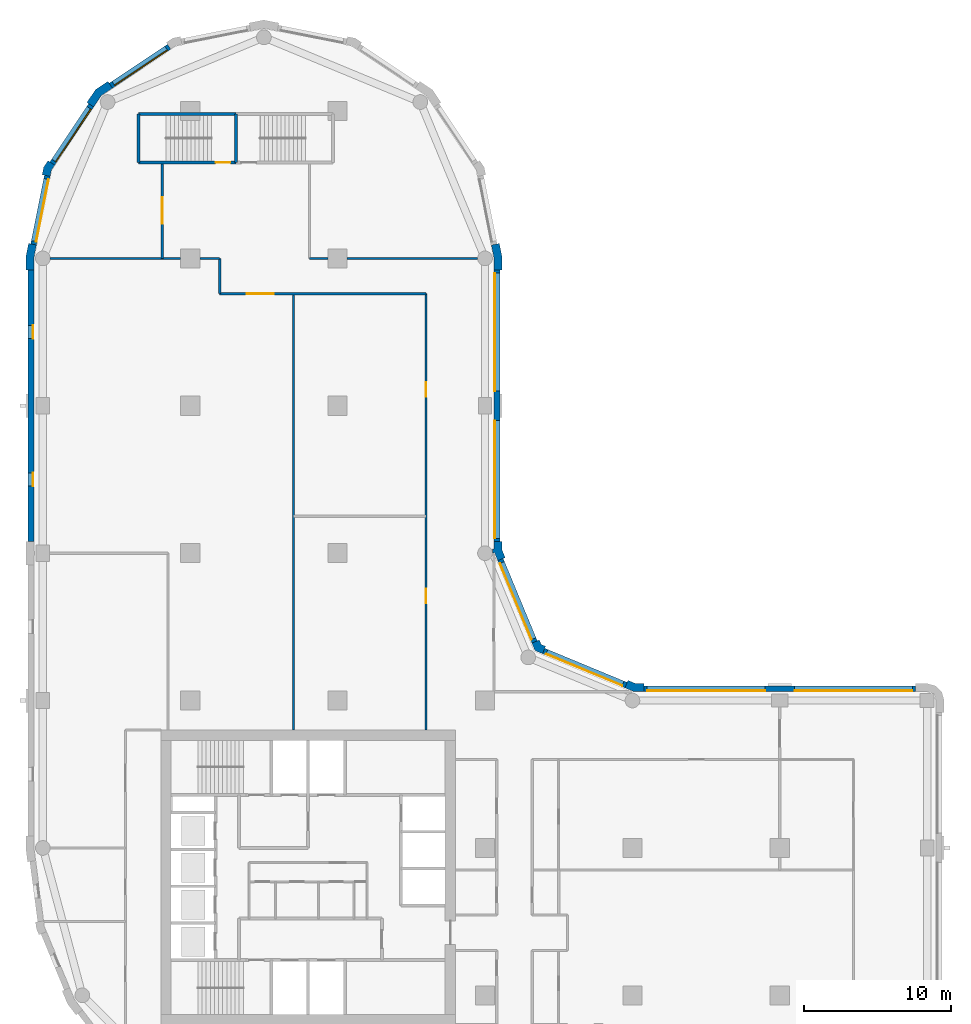
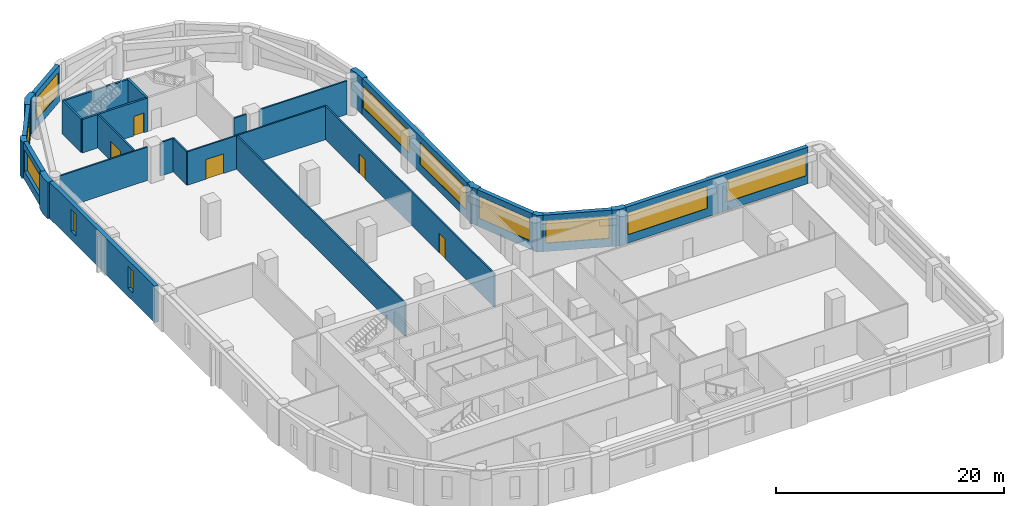
# One storey, part 6 of 9: 28 walls, 11 windows, 5 doors, 16 openings.
"""IFC4 building model written with IfcOpenShell, lengths in metres."""

from ifc_helpers import new_model, si_unit, direction, frame, frame_2d, origin, place, context, subcontext, project, spatial, polyline, rectangle, outline, extrude, material, layer, layer_set, type_object, element, fill, save


model = new_model("IFC4")

# Units and contexts
model_context = context("Model", 3, precision=1e-05, world=origin(), true_north=direction((0.0, 1.0)))
body_context = subcontext(model_context, "Body", "Model", "MODEL_VIEW")
ifc_project = project(units=[si_unit("LENGTHUNIT", "METRE"), si_unit("AREAUNIT", "SQUARE_METRE"), si_unit("VOLUMEUNIT", "CUBIC_METRE"), si_unit("PLANEANGLEUNIT", "RADIAN"), si_unit("MASSUNIT", "GRAM", prefix="KILO")], contexts=[model_context])

# Site, building, storey
site_placement = place(None, origin())
site = spatial("IfcSite", under=ifc_project, at=site_placement, CompositionType="ELEMENT")
building_placement = place(site_placement, origin())
building = spatial("IfcBuilding", under=site, at=building_placement, Name="Qaws Garden Tower", CompositionType="ELEMENT")
storey_placement = place(building_placement, frame((0.0, 0.0, 166.800048828125)))
storey = spatial("IfcBuildingStorey", under=building, at=storey_placement, Name="L40", CompositionType="ELEMENT", Elevation=166.800048828125)

# Wall, openings, windows
ifc_material_1 = material(Name="Buff clay facing brick masonry", Category="masonry")
ifc_layer_1 = layer(ifc_material_1, 0.39990234375)
ifc_layer_set_1 = layer_set([ifc_layer_1], Name="Buff clay facing brick masonry")
wall_type_1 = type_object("IfcWallType", Name="Buff brick infill wall 400", PredefinedType="SOLIDWALL", material=ifc_layer_set_1)
wall_1_placement = place(storey_placement, frame((59.199951171875, 30.800048828125, 0.0), z_axis=(0.0, 0.0, 1.0), x_axis=(-1.0, 0.0, 0.0)))
wall_1 = element("IfcWall", 1, at=wall_1_placement, inside=storey, type_object=wall_type_1, Name="E-L40-infill-07", PredefinedType="SOLIDWALL", context=body_context, shape_type="SweptSolid", body=[
    extrude(rectangle(XDim=18.39990234375, YDim=0.39990234375, at=frame_2d((9.199951171875, 0.0))), origin(), (0.0, 0.0, 1.0), 3.89990234375),
])
opening_1_placement = place(wall_1_placement, frame((0.199951171875, 0.0, 0.89990234375)))
opening_1 = element("IfcOpeningElement", 2, at=opening_1_placement, cuts=wall_1, Name="Opening W01", PredefinedType="OPENING", context=body_context, shape_type="SweptSolid", body=[
    extrude(rectangle(XDim=8.0, YDim=2.35009765625, at=frame_2d((4.0, 1.175048828125))), frame((0.0, 0.2099609375, 0.0), z_axis=(0.0, -1.0, 0.0), x_axis=(1.0, 0.0, 0.0)), (0.0, 0.0, 1.0), 0.419921875),
])
opening_2_placement = place(wall_1_placement, frame((10.199951171875, 0.0, 0.89990234375)))
opening_2 = element("IfcOpeningElement", 3, at=opening_2_placement, cuts=wall_1, Name="Opening W01", PredefinedType="OPENING", context=body_context, shape_type="SweptSolid", body=[
    extrude(rectangle(XDim=8.0, YDim=2.35009765625, at=frame_2d((4.0, 1.175048828125))), frame((0.0, 0.2099609375, 0.0), z_axis=(0.0, -1.0, 0.0), x_axis=(1.0, 0.0, 0.0)), (0.0, 0.0, 1.0), 0.419921875),
])
ifc_material_2 = material(Name="Aluminium framed window, clear glazing", Category="aluminium")
window_type_1 = type_object("IfcWindowType", Name="Ribbon window 8000 x 2350", PartitioningType="DOUBLE_PANEL_VERTICAL", PredefinedType="WINDOW", material=ifc_material_2)
window_1_placement = place(opening_1_placement, origin())
window_1 = element("IfcWindow", 4, at=window_1_placement, inside=storey, type_object=window_type_1, Name="E-L40-window-07-0", OverallHeight=2.35009765625, OverallWidth=8.0, PartitioningType="SINGLE_PANEL", PredefinedType="WINDOW", context=body_context, shape_type="SweptSolid", body=[
    extrude(rectangle(XDim=8.0, YDim=2.35009765625, at=frame_2d((4.0, 1.175048828125))), frame((0.0, 0.159912109375, 0.0), z_axis=(0.0, -1.0, 0.0), x_axis=(1.0, 0.0, 0.0)), (0.0, 0.0, 1.0), 0.06005859375),
])
fill(opening_1, window_1)
window_2_placement = place(opening_2_placement, origin())
window_2 = element("IfcWindow", 5, at=window_2_placement, inside=storey, type_object=window_type_1, Name="E-L40-window-08-0", OverallHeight=2.35009765625, OverallWidth=8.0, PartitioningType="SINGLE_PANEL", PredefinedType="WINDOW", context=body_context, shape_type="SweptSolid", body=[
    extrude(rectangle(XDim=8.0, YDim=2.35009765625, at=frame_2d((4.0, 1.175048828125))), frame((0.0, 0.159912109375, 0.0), z_axis=(0.0, -1.0, 0.0), x_axis=(1.0, 0.0, 0.0)), (0.0, 0.0, 1.0), 0.06005859375),
])
fill(opening_2, window_2)

# Wall, opening, window
wall_2_placement = place(storey_placement, frame((39.56689453125, 31.04541015625, 0.0), z_axis=(0.0, 0.0, 1.0), x_axis=(-0.923891000409, 0.382655745237, 0.0)))
wall_2 = element("IfcWall", 6, at=wall_2_placement, inside=storey, type_object=wall_type_1, Name="E-L40-infill-09", PredefinedType="SOLIDWALL", context=body_context, shape_type="SweptSolid", body=[
    extrude(rectangle(XDim=6.053466796875, YDim=0.39990234375, at=frame_2d((3.02685546875, 0.0))), origin(), (0.0, 0.0, 1.0), 3.89990234375),
])
opening_3_placement = place(wall_2_placement, frame((0.226806640625, 0.0, 0.89990234375)))
opening_3 = element("IfcOpeningElement", 7, at=opening_3_placement, cuts=wall_2, Name="Opening W04", PredefinedType="OPENING", context=body_context, shape_type="SweptSolid", body=[
    extrude(rectangle(XDim=5.60009765625, YDim=2.35009765625, at=frame_2d((2.800048828125, 1.175048828125))), frame((0.0, 0.2099609375, 0.0), z_axis=(0.0, -1.0, 0.0), x_axis=(1.0, 0.0, 0.0)), (0.0, 0.0, 1.0), 0.419921875),
])
ifc_material_3 = material(Name="Aluminium framed window, clear glazing", Category="aluminium")
window_type_2 = type_object("IfcWindowType", Name="Ribbon window 5600 x 2350", PartitioningType="DOUBLE_PANEL_VERTICAL", PredefinedType="WINDOW", material=ifc_material_3)
window_3_placement = place(opening_3_placement, origin())
window_3 = element("IfcWindow", 8, at=window_3_placement, inside=storey, type_object=window_type_2, Name="E-L40-window-09-0", OverallHeight=2.35009765625, OverallWidth=5.60009765625, PartitioningType="SINGLE_PANEL", PredefinedType="WINDOW", context=body_context, shape_type="SweptSolid", body=[
    extrude(rectangle(XDim=5.60009765625, YDim=2.35009765625, at=frame_2d((2.800048828125, 1.175048828125))), frame((0.0, 0.159912109375, 0.0), z_axis=(0.0, -1.0, 0.0), x_axis=(1.0, 0.0, 0.0)), (0.0, 0.0, 1.0), 0.06005859375),
])
fill(opening_3, window_3)

wall_3_placement = place(storey_placement, frame((33.36181640625, 33.97412109375, 0.0), z_axis=(0.0, 0.0, 1.0), x_axis=(-0.382655745237, 0.923891000409, 0.0)))
wall_3 = element("IfcWall", 9, at=wall_3_placement, inside=storey, type_object=wall_type_1, Name="E-L40-infill-10", PredefinedType="SOLIDWALL", context=body_context, shape_type="SweptSolid", body=[
    extrude(rectangle(XDim=6.053466796875, YDim=0.39990234375, at=frame_2d((3.02685546875, 0.0))), origin(), (0.0, 0.0, 1.0), 3.89990234375),
])
opening_4_placement = place(wall_3_placement, frame((0.226806640625, 0.0, 0.89990234375)))
opening_4 = element("IfcOpeningElement", 10, at=opening_4_placement, cuts=wall_3, Name="Opening W04", PredefinedType="OPENING", context=body_context, shape_type="SweptSolid", body=[
    extrude(rectangle(XDim=5.60009765625, YDim=2.35009765625, at=frame_2d((2.800048828125, 1.175048828125))), frame((0.0, 0.2099609375, 0.0), z_axis=(0.0, -1.0, 0.0), x_axis=(1.0, 0.0, 0.0)), (0.0, 0.0, 1.0), 0.419921875),
])
window_4_placement = place(opening_4_placement, origin())
window_4 = element("IfcWindow", 11, at=window_4_placement, inside=storey, type_object=window_type_2, Name="E-L40-window-10-0", OverallHeight=2.35009765625, OverallWidth=5.60009765625, PartitioningType="SINGLE_PANEL", PredefinedType="WINDOW", context=body_context, shape_type="SweptSolid", body=[
    extrude(rectangle(XDim=5.60009765625, YDim=2.35009765625, at=frame_2d((2.800048828125, 1.175048828125))), frame((0.0, 0.159912109375, 0.0), z_axis=(0.0, -1.0, 0.0), x_axis=(1.0, 0.0, 0.0)), (0.0, 0.0, 1.0), 0.06005859375),
])
fill(opening_4, window_4)

# Wall, openings, windows
wall_4_placement = place(storey_placement, frame((30.800048828125, 40.800048828125, 0.0), z_axis=(0.0, 0.0, 1.0), x_axis=(0.0, 1.0, 0.0)))
wall_4 = element("IfcWall", 12, at=wall_4_placement, inside=storey, type_object=wall_type_1, Name="E-L40-infill-11", PredefinedType="SOLIDWALL", context=body_context, shape_type="SweptSolid", body=[
    extrude(rectangle(XDim=18.39990234375, YDim=0.39990234375, at=frame_2d((9.199951171875, 0.0))), origin(), (0.0, 0.0, 1.0), 3.89990234375),
])
opening_5_placement = place(wall_4_placement, frame((0.199951171875, 0.0, 0.89990234375)))
opening_5 = element("IfcOpeningElement", 13, at=opening_5_placement, cuts=wall_4, Name="Opening W01", PredefinedType="OPENING", context=body_context, shape_type="SweptSolid", body=[
    extrude(rectangle(XDim=8.0, YDim=2.35009765625, at=frame_2d((4.0, 1.175048828125))), frame((0.0, 0.2099609375, 0.0), z_axis=(0.0, -1.0, 0.0), x_axis=(1.0, 0.0, 0.0)), (0.0, 0.0, 1.0), 0.419921875),
])
opening_6_placement = place(wall_4_placement, frame((10.199951171875, 0.0, 0.89990234375)))
opening_6 = element("IfcOpeningElement", 14, at=opening_6_placement, cuts=wall_4, Name="Opening W01", PredefinedType="OPENING", context=body_context, shape_type="SweptSolid", body=[
    extrude(rectangle(XDim=8.0, YDim=2.35009765625, at=frame_2d((4.0, 1.175048828125))), frame((0.0, 0.2099609375, 0.0), z_axis=(0.0, -1.0, 0.0), x_axis=(1.0, 0.0, 0.0)), (0.0, 0.0, 1.0), 0.419921875),
])
window_5_placement = place(opening_5_placement, origin())
window_5 = element("IfcWindow", 15, at=window_5_placement, inside=storey, type_object=window_type_1, Name="E-L40-window-11-0", OverallHeight=2.35009765625, OverallWidth=8.0, PartitioningType="SINGLE_PANEL", PredefinedType="WINDOW", context=body_context, shape_type="SweptSolid", body=[
    extrude(rectangle(XDim=8.0, YDim=2.35009765625, at=frame_2d((4.0, 1.175048828125))), frame((0.0, 0.159912109375, 0.0), z_axis=(0.0, -1.0, 0.0), x_axis=(1.0, 0.0, 0.0)), (0.0, 0.0, 1.0), 0.06005859375),
])
fill(opening_5, window_5)
window_6_placement = place(opening_6_placement, origin())
window_6 = element("IfcWindow", 16, at=window_6_placement, inside=storey, type_object=window_type_1, Name="E-L40-window-12-0", OverallHeight=2.35009765625, OverallWidth=8.0, PartitioningType="SINGLE_PANEL", PredefinedType="WINDOW", context=body_context, shape_type="SweptSolid", body=[
    extrude(rectangle(XDim=8.0, YDim=2.35009765625, at=frame_2d((4.0, 1.175048828125))), frame((0.0, 0.159912109375, 0.0), z_axis=(0.0, -1.0, 0.0), x_axis=(1.0, 0.0, 0.0)), (0.0, 0.0, 1.0), 0.06005859375),
])
fill(opening_6, window_6)

# Wall, opening, window
wall_5_placement = place(storey_placement, frame((8.56591796875, 74.356689453125, 0.0), z_axis=(0.0, 0.0, 1.0), x_axis=(-0.831488775454, -0.555541552266, 0.0)))
wall_5 = element("IfcWall", 17, at=wall_5_placement, inside=storey, type_object=wall_type_1, Name="E-L40-infill-18", PredefinedType="SOLIDWALL", context=body_context, shape_type="SweptSolid", body=[
    extrude(rectangle(XDim=4.752685546875, YDim=0.39990234375, at=frame_2d((2.37646484375, 0.0))), origin(), (0.0, 0.0, 1.0), 3.89990234375),
])
opening_7_placement = place(wall_5_placement, frame((0.226318359375, 0.0, 0.89990234375)))
opening_7 = element("IfcOpeningElement", 18, at=opening_7_placement, cuts=wall_5, Name="Opening W06", PredefinedType="OPENING", context=body_context, shape_type="SweptSolid", body=[
    extrude(rectangle(XDim=4.300048828125, YDim=2.35009765625, at=frame_2d((2.14990234375, 1.175048828125))), frame((0.0, 0.2099609375, 0.0), z_axis=(0.0, -1.0, 0.0), x_axis=(1.0, 0.0, 0.0)), (0.0, 0.0, 1.0), 0.419921875),
])
ifc_material_4 = material(Name="Aluminium framed window, clear glazing", Category="aluminium")
window_type_3 = type_object("IfcWindowType", Name="Ribbon window 4300 x 2350", PartitioningType="DOUBLE_PANEL_VERTICAL", PredefinedType="WINDOW", material=ifc_material_4)
window_7_placement = place(opening_7_placement, origin())
window_7 = element("IfcWindow", 19, at=window_7_placement, inside=storey, type_object=window_type_3, Name="E-L40-window-18-0", OverallHeight=2.35009765625, OverallWidth=4.300048828125, PartitioningType="SINGLE_PANEL", PredefinedType="WINDOW", context=body_context, shape_type="SweptSolid", body=[
    extrude(rectangle(XDim=4.300048828125, YDim=2.35009765625, at=frame_2d((2.14990234375, 1.175048828125))), frame((0.0, 0.159912109375, 0.0), z_axis=(0.0, -1.0, 0.0), x_axis=(1.0, 0.0, 0.0)), (0.0, 0.0, 1.0), 0.06005859375),
])
fill(opening_7, window_7)

wall_6_placement = place(storey_placement, frame((3.28369140625, 70.385986328125, 0.0), z_axis=(0.0, 0.0, 1.0), x_axis=(-0.555541552266, -0.831488775454, 0.0)))
wall_6 = element("IfcWall", 20, at=wall_6_placement, inside=storey, type_object=wall_type_1, Name="E-L40-infill-19", PredefinedType="SOLIDWALL", context=body_context, shape_type="SweptSolid", body=[
    extrude(rectangle(XDim=4.752685546875, YDim=0.39990234375, at=frame_2d((2.37646484375, 0.0))), origin(), (0.0, 0.0, 1.0), 3.89990234375),
])
opening_8_placement = place(wall_6_placement, frame((0.226318359375, 0.0, 0.89990234375)))
opening_8 = element("IfcOpeningElement", 21, at=opening_8_placement, cuts=wall_6, Name="Opening W06", PredefinedType="OPENING", context=body_context, shape_type="SweptSolid", body=[
    extrude(rectangle(XDim=4.300048828125, YDim=2.35009765625, at=frame_2d((2.14990234375, 1.175048828125))), frame((0.0, 0.2099609375, 0.0), z_axis=(0.0, -1.0, 0.0), x_axis=(1.0, 0.0, 0.0)), (0.0, 0.0, 1.0), 0.419921875),
])
window_8_placement = place(opening_8_placement, origin())
window_8 = element("IfcWindow", 22, at=window_8_placement, inside=storey, type_object=window_type_3, Name="E-L40-window-19-0", OverallHeight=2.35009765625, OverallWidth=4.300048828125, PartitioningType="SINGLE_PANEL", PredefinedType="WINDOW", context=body_context, shape_type="SweptSolid", body=[
    extrude(rectangle(XDim=4.300048828125, YDim=2.35009765625, at=frame_2d((2.14990234375, 1.175048828125))), frame((0.0, 0.159912109375, 0.0), z_axis=(0.0, -1.0, 0.0), x_axis=(1.0, 0.0, 0.0)), (0.0, 0.0, 1.0), 0.06005859375),
])
fill(opening_8, window_8)

wall_7_placement = place(storey_placement, frame((0.298583984375, 65.60205078125, 0.0), z_axis=(0.0, 0.0, 1.0), x_axis=(-0.195098533057, -0.98078364709, 0.0)))
wall_7 = element("IfcWall", 23, at=wall_7_placement, inside=storey, type_object=wall_type_1, Name="E-L40-infill-20", PredefinedType="SOLIDWALL", context=body_context, shape_type="SweptSolid", body=[
    extrude(rectangle(XDim=4.752685546875, YDim=0.39990234375, at=frame_2d((2.37646484375, 0.0))), origin(), (0.0, 0.0, 1.0), 3.89990234375),
])
opening_9_placement = place(wall_7_placement, frame((0.226318359375, 0.0, 0.89990234375)))
opening_9 = element("IfcOpeningElement", 24, at=opening_9_placement, cuts=wall_7, Name="Opening W06", PredefinedType="OPENING", context=body_context, shape_type="SweptSolid", body=[
    extrude(rectangle(XDim=4.300048828125, YDim=2.35009765625, at=frame_2d((2.14990234375, 1.175048828125))), frame((0.0, 0.2099609375, 0.0), z_axis=(0.0, -1.0, 0.0), x_axis=(1.0, 0.0, 0.0)), (0.0, 0.0, 1.0), 0.419921875),
])
window_9_placement = place(opening_9_placement, origin())
window_9 = element("IfcWindow", 25, at=window_9_placement, inside=storey, type_object=window_type_3, Name="E-L40-window-20-0", OverallHeight=2.35009765625, OverallWidth=4.300048828125, PartitioningType="SINGLE_PANEL", PredefinedType="WINDOW", context=body_context, shape_type="SweptSolid", body=[
    extrude(rectangle(XDim=4.300048828125, YDim=2.35009765625, at=frame_2d((2.14990234375, 1.175048828125))), frame((0.0, 0.159912109375, 0.0), z_axis=(0.0, -1.0, 0.0), x_axis=(1.0, 0.0, 0.0)), (0.0, 0.0, 1.0), 0.06005859375),
])
fill(opening_9, window_9)

# Wall, openings, windows
wall_8_placement = place(storey_placement, frame((-0.800048828125, 59.199951171875, 0.0), z_axis=(0.0, 0.0, 1.0), x_axis=(0.0, -1.0, 0.0)))
wall_8 = element("IfcWall", 26, at=wall_8_placement, inside=storey, type_object=wall_type_1, Name="E-L40-infill-21", PredefinedType="SOLIDWALL", context=body_context, shape_type="SweptSolid", body=[
    extrude(rectangle(XDim=18.39990234375, YDim=0.39990234375, at=frame_2d((9.199951171875, 0.0))), origin(), (0.0, 0.0, 1.0), 3.89990234375),
])
opening_10_placement = place(wall_8_placement, frame((3.75, 0.0, 0.89990234375)))
opening_10 = element("IfcOpeningElement", 27, at=opening_10_placement, cuts=wall_8, Name="Opening W09", PredefinedType="OPENING", context=body_context, shape_type="SweptSolid", body=[
    extrude(rectangle(XDim=0.89990234375, YDim=2.35009765625, at=frame_2d((0.449951171875, 1.175048828125))), frame((0.0, 0.2099609375, 0.0), z_axis=(0.0, -1.0, 0.0), x_axis=(1.0, 0.0, 0.0)), (0.0, 0.0, 1.0), 0.419921875),
])
opening_11_placement = place(wall_8_placement, frame((13.75, 0.0, 0.89990234375)))
opening_11 = element("IfcOpeningElement", 28, at=opening_11_placement, cuts=wall_8, Name="Opening W09", PredefinedType="OPENING", context=body_context, shape_type="SweptSolid", body=[
    extrude(rectangle(XDim=0.89990234375, YDim=2.35009765625, at=frame_2d((0.449951171875, 1.175048828125))), frame((0.0, 0.2099609375, 0.0), z_axis=(0.0, -1.0, 0.0), x_axis=(1.0, 0.0, 0.0)), (0.0, 0.0, 1.0), 0.419921875),
])
ifc_material_5 = material(Name="Aluminium framed window, clear glazing", Category="aluminium")
window_type_4 = type_object("IfcWindowType", Name="Slit window 900 x 2350", PartitioningType="SINGLE_PANEL", PredefinedType="WINDOW", material=ifc_material_5)
window_10_placement = place(opening_10_placement, origin())
window_10 = element("IfcWindow", 29, at=window_10_placement, inside=storey, type_object=window_type_4, Name="E-L40-window-21-0", OverallHeight=2.35009765625, OverallWidth=0.89990234375, PartitioningType="SINGLE_PANEL", PredefinedType="WINDOW", context=body_context, shape_type="SweptSolid", body=[
    extrude(rectangle(XDim=0.89990234375, YDim=2.35009765625, at=frame_2d((0.449951171875, 1.175048828125))), frame((0.0, 0.159912109375, 0.0), z_axis=(0.0, -1.0, 0.0), x_axis=(1.0, 0.0, 0.0)), (0.0, 0.0, 1.0), 0.06005859375),
])
fill(opening_10, window_10)
window_11_placement = place(opening_11_placement, origin())
window_11 = element("IfcWindow", 30, at=window_11_placement, inside=storey, type_object=window_type_4, Name="E-L40-window-22-0", OverallHeight=2.35009765625, OverallWidth=0.89990234375, PartitioningType="SINGLE_PANEL", PredefinedType="WINDOW", context=body_context, shape_type="SweptSolid", body=[
    extrude(rectangle(XDim=0.89990234375, YDim=2.35009765625, at=frame_2d((0.449951171875, 1.175048828125))), frame((0.0, 0.159912109375, 0.0), z_axis=(0.0, -1.0, 0.0), x_axis=(1.0, 0.0, 0.0)), (0.0, 0.0, 1.0), 0.06005859375),
])
fill(opening_11, window_11)

# Walls
ifc_material_6 = material(Name="Buff clay facing brick masonry", Category="masonry")
ifc_layer_2 = layer(ifc_material_6, 0.550048828125)
ifc_layer_set_2 = layer_set([ifc_layer_2], Name="Buff clay facing brick masonry")
wall_type_2 = type_object("IfcWallType", Name="Buff brick kink pier 550 x 600", PredefinedType="SOLIDWALL", material=ifc_layer_set_2)
placement = place(storey_placement, origin())
element("IfcWall", 31, at=placement, inside=storey, type_object=wall_type_2, Name="E-L40-pier-20", PredefinedType="SOLIDWALL", context=body_context, shape_type="SweptSolid", body=[
    extrude(outline(polyline([(0.47705078125, 66.545166015625), (0.352294921875, 66.628662109375), (0.05859375, 66.18896484375), (-0.044677734375, 65.67041015625), (0.1025390625, 65.64111328125), (0.494873046875, 65.56298828125), (0.57666015625, 65.974365234375), (0.8095703125, 66.322998046875), (0.47705078125, 66.545166015625)])), origin(), (0.0, 0.0, 1.0), 3.89990234375),
])
ifc_material_7 = material(Name="Buff clay facing brick masonry", Category="masonry")
ifc_layer_3 = layer(ifc_material_7, 0.550048828125)
ifc_layer_set_3 = layer_set([ifc_layer_3], Name="Buff clay facing brick masonry")
wall_type_3 = type_object("IfcWallType", Name="Buff brick pier 550 x 1600", PredefinedType="SOLIDWALL", material=ifc_layer_set_3)
element("IfcWall", 32, at=placement, inside=storey, type_object=wall_type_3, Name="E-L40-pier-09", PredefinedType="SOLIDWALL", context=body_context, shape_type="SweptSolid", body=[
    extrude(outline(polyline([(40.800048828125, 31.0), (40.800048828125, 31.14990234375), (40.228759765625, 31.14990234375), (39.700927734375, 31.36865234375), (39.6435546875, 31.22998046875), (39.490478515625, 30.860595703125), (40.119384765625, 30.60009765625), (40.800048828125, 30.60009765625), (40.800048828125, 31.0)])), origin(), (0.0, 0.0, 1.0), 3.89990234375),
])
element("IfcWall", 33, at=placement, inside=storey, type_object=wall_type_3, Name="E-L40-pier-10", PredefinedType="SOLIDWALL", context=body_context, shape_type="SweptSolid", body=[
    extrude(outline(polyline([(34.05078125, 33.546630859375), (34.108154296875, 33.685302734375), (33.80908203125, 33.80908203125), (33.685302734375, 34.108154296875), (33.546630859375, 34.05078125), (33.177001953125, 33.897705078125), (33.38818359375, 33.38818359375), (33.897705078125, 33.177001953125), (34.05078125, 33.546630859375)])), origin(), (0.0, 0.0, 1.0), 3.89990234375),
])
element("IfcWall", 34, at=placement, inside=storey, type_object=wall_type_3, Name="E-L40-pier-11", PredefinedType="SOLIDWALL", context=body_context, shape_type="SweptSolid", body=[
    extrude(outline(polyline([(30.6201171875, 39.995361328125), (30.6201171875, 40.071044921875), (30.860595703125, 39.490478515625), (31.22998046875, 39.6435546875), (31.36865234375, 39.700927734375), (31.14990234375, 40.228759765625), (31.14990234375, 40.800048828125), (31.0, 40.800048828125), (30.60009765625, 40.800048828125), (30.60009765625, 40.29541015625), (30.5, 40.29541015625), (30.5, 39.995361328125), (30.6201171875, 39.995361328125)])), origin(), (0.0, 0.0, 1.0), 3.89990234375),
])
element("IfcWall", 35, at=placement, inside=storey, type_object=wall_type_3, Name="E-L40-pier-13", PredefinedType="SOLIDWALL", context=body_context, shape_type="SweptSolid", body=[
    extrude(outline(polyline([(31.0, 59.199951171875), (31.14990234375, 59.199951171875), (31.14990234375, 60.11328125), (30.971923828125, 61.009033203125), (30.82470703125, 60.979736328125), (30.432373046875, 60.901611328125), (30.60009765625, 60.05908203125), (30.60009765625, 59.199951171875), (31.0, 59.199951171875)])), origin(), (0.0, 0.0, 1.0), 3.89990234375),
])
element("IfcWall", 36, at=placement, inside=storey, type_object=wall_type_3, Name="E-L40-pier-19", PredefinedType="SOLIDWALL", context=body_context, shape_type="SweptSolid", body=[
    extrude(outline(polyline([(4.5029296875, 71.882568359375), (4.419677734375, 72.00732421875), (3.564208984375, 71.435791015625), (2.99267578125, 70.580322265625), (3.117431640625, 70.4970703125), (3.449951171875, 70.274658203125), (3.9609375, 71.0390625), (4.725341796875, 71.550048828125), (4.5029296875, 71.882568359375)])), origin(), (0.0, 0.0, 1.0), 3.89990234375),
])
element("IfcWall", 37, at=placement, inside=storey, type_object=wall_type_3, Name="E-L40-pier-21", PredefinedType="SOLIDWALL", context=body_context, shape_type="SweptSolid", body=[
    extrude(outline(polyline([(-0.82470703125, 60.979736328125), (-0.971923828125, 61.009033203125), (-1.14990234375, 60.11328125), (-1.14990234375, 59.199951171875), (-1.0, 59.199951171875), (-0.60009765625, 59.199951171875), (-0.60009765625, 60.05908203125), (-0.432373046875, 60.901611328125), (-0.82470703125, 60.979736328125)])), origin(), (0.0, 0.0, 1.0), 3.89990234375),
])

# Wall, opening, door
ifc_material_8 = material(Name="Concrete C70", Category="concrete")
ifc_layer_4 = layer(ifc_material_8, 0.199951171875)
ifc_layer_set_4 = layer_set([ifc_layer_4], Name="Concrete C70")
wall_type_4 = type_object("IfcWallType", Name="Core shaft wall 200 C70", PredefinedType="SHEAR", material=ifc_layer_set_4)
wall_16_placement = place(storey_placement, frame((6.5, 66.5, 0.0), z_axis=(0.0, 0.0, 1.0), x_axis=(1.0, 0.0, 0.0)))
wall_16 = element("IfcWall", 38, at=wall_16_placement, inside=storey, type_object=wall_type_4, Name="Shaft wall", PredefinedType="SHEAR", context=body_context, shape_type="SweptSolid", body=[
    extrude(rectangle(XDim=6.60009765625, YDim=0.199951171875, at=frame_2d((3.300048828125, 0.0))), origin(), (0.0, 0.0, 1.0), 3.579833984375),
])
opening_12_placement = place(wall_16_placement, frame((5.22509765625, 0.0, 0.0)))
opening_12 = element("IfcOpeningElement", 39, at=opening_12_placement, cuts=wall_16, Name="Opening SD13", PredefinedType="OPENING", context=body_context, shape_type="SweptSolid", body=[
    extrude(rectangle(XDim=1.0, YDim=2.10009765625, at=frame_2d((0.5, 1.050048828125))), frame((0.0, 0.10986328125, 0.0), z_axis=(0.0, -1.0, 0.0), x_axis=(1.0, 0.0, 0.0)), (0.0, 0.0, 1.0), 0.219970703125),
])
ifc_material_9 = material(Name="Steel S235", Category="steel")
door_type_1 = type_object("IfcDoorType", Name="Stair door 1000x2100", OperationType="SINGLE_SWING_RIGHT", PredefinedType="DOOR", material=ifc_material_9)
door_1_placement = place(opening_12_placement, origin())
door_1 = element("IfcDoor", 40, at=door_1_placement, inside=storey, type_object=door_type_1, Name="Stair 6 door", OperationType="SINGLE_SWING_RIGHT", OverallHeight=2.10009765625, OverallWidth=1.0, PredefinedType="DOOR", context=body_context, shape_type="SweptSolid", body=[
    extrude(rectangle(XDim=1.0, YDim=2.10009765625, at=frame_2d((0.5, 1.050048828125))), frame((0.0, 0.02490234375, 0.0), z_axis=(0.0, -1.0, 0.0), x_axis=(1.0, 0.0, 0.0)), (0.0, 0.0, 1.0), 0.050048828125),
])
fill(opening_12, door_1)

# Walls
wall_17_placement = place(storey_placement, frame((6.5, 69.800048828125, 0.0), z_axis=(0.0, 0.0, 1.0), x_axis=(1.0, 0.0, 0.0)))
element("IfcWall", 41, at=wall_17_placement, inside=storey, type_object=wall_type_4, Name="Shaft wall", PredefinedType="SHEAR", context=body_context, shape_type="SweptSolid", body=[
    extrude(rectangle(XDim=6.60009765625, YDim=0.199951171875, at=frame_2d((3.300048828125, 0.0))), origin(), (0.0, 0.0, 1.0), 3.579833984375),
])
for number, where, z_axis, x_axis, name in (
    (42, (6.5, 66.5, 0.0), (0.0, 0.0, 1.0), (0.0, 1.0, 0.0), "Shaft wall"),
    (43, (13.10009765625, 66.5, 0.0), (0.0, 0.0, 1.0), (0.0, 1.0, 0.0), "Shaft wall"),
):
    element("IfcWall", number, at=place(storey_placement, frame(where, z_axis=z_axis, x_axis=x_axis)), inside=storey, type_object=wall_type_4, Name=name, PredefinedType="SHEAR", context=body_context, shape_type="SweptSolid", body=[
        extrude(rectangle(XDim=3.300048828125, YDim=0.199951171875, at=frame_2d((1.64990234375, 0.0))), origin(), (0.0, 0.0, 1.0), 3.579833984375),
    ])

# Wall, opening, door
ifc_material_10 = material(Name="Gypsum board partition")
ifc_layer_5 = layer(ifc_material_10, 0.14990234375)
ifc_layer_set_5 = layer_set([ifc_layer_5], Name="Gypsum board partition")
wall_type_5 = type_object("IfcWallType", Name="PARTITION 150 EI 60", PredefinedType="PARTITIONING", material=ifc_layer_set_5)
wall_18_placement = place(storey_placement, frame((8.10009765625, 60.0, 0.0), z_axis=(0.0, 0.0, 1.0), x_axis=(0.0, 1.0, 0.0)))
wall_18 = element("IfcWall", 44, at=wall_18_placement, inside=storey, type_object=wall_type_5, Name="O-L40-wall-007", PredefinedType="PARTITIONING", context=body_context, shape_type="SweptSolid", body=[
    extrude(rectangle(XDim=6.39990234375, YDim=0.14990234375, at=frame_2d((3.199951171875, 0.0))), origin(), (0.0, 0.0, 1.0), 3.579833984375),
])
opening_13_placement = place(wall_18_placement, frame((2.35009765625, 0.0, 0.0)))
opening_13 = element("IfcOpeningElement", 45, at=opening_13_placement, cuts=wall_18, Name="Opening B412", PredefinedType="OPENING", context=body_context, shape_type="SweptSolid", body=[
    extrude(rectangle(XDim=1.800048828125, YDim=2.10009765625, at=frame_2d((0.89990234375, 1.050048828125))), frame((0.0, 0.0849609375, 0.0), z_axis=(0.0, -1.0, 0.0), x_axis=(1.0, 0.0, 0.0)), (0.0, 0.0, 1.0), 0.169921875),
])
ifc_material_11 = material(Name="Timber door leaf", Category="wood")
door_type_2 = type_object("IfcDoorType", Name="DOUBLE DOOR 1800 X 2100", OperationType="DOUBLE_DOOR_SINGLE_SWING", PredefinedType="DOOR", material=ifc_material_11)
door_2_placement = place(opening_13_placement, origin())
door_2 = element("IfcDoor", 46, at=door_2_placement, inside=storey, type_object=door_type_2, Name="O-L40-door-012", OperationType="DOUBLE_DOOR_SINGLE_SWING", OverallHeight=2.10009765625, OverallWidth=1.800048828125, PredefinedType="DOOR", context=body_context, shape_type="SweptSolid", body=[
    extrude(rectangle(XDim=1.800048828125, YDim=2.10009765625, at=frame_2d((0.89990234375, 1.050048828125))), frame((0.0, 0.02490234375, 0.0), z_axis=(0.0, -1.0, 0.0), x_axis=(1.0, 0.0, 0.0)), (0.0, 0.0, 1.0), 0.050048828125),
])
fill(opening_13, door_2)

# Walls
wall_19_placement = place(storey_placement, frame((12.0, 57.60009765625, 0.0), z_axis=(0.0, 0.0, 1.0), x_axis=(0.0, 1.0, 0.0)))
element("IfcWall", 47, at=wall_19_placement, inside=storey, type_object=wall_type_5, Name="O-L40-wall-009", PredefinedType="PARTITIONING", context=body_context, shape_type="SweptSolid", body=[
    extrude(rectangle(XDim=2.39990234375, YDim=0.14990234375, at=frame_2d((1.199951171875, 0.0))), origin(), (0.0, 0.0, 1.0), 3.579833984375),
])
wall_20_placement = place(storey_placement, frame((17.0, 28.0, 0.0), z_axis=(0.0, 0.0, 1.0), x_axis=(0.0, 1.0, 0.0)))
element("IfcWall", 48, at=wall_20_placement, inside=storey, type_object=wall_type_5, Name="O-L40-wall-011", PredefinedType="PARTITIONING", context=body_context, shape_type="SweptSolid", body=[
    extrude(rectangle(XDim=29.60009765625, YDim=0.14990234375, at=frame_2d((14.800048828125, 0.0))), origin(), (0.0, 0.0, 1.0), 3.579833984375),
])

# Wall, openings, doors
wall_21_placement = place(storey_placement, frame((26.0, 28.0, 0.0), z_axis=(0.0, 0.0, 1.0), x_axis=(0.0, 1.0, 0.0)))
wall_21 = element("IfcWall", 49, at=wall_21_placement, inside=storey, type_object=wall_type_5, Name="O-L40-wall-014", PredefinedType="PARTITIONING", context=body_context, shape_type="SweptSolid", body=[
    extrude(rectangle(XDim=29.60009765625, YDim=0.14990234375, at=frame_2d((14.800048828125, 0.0))), origin(), (0.0, 0.0, 1.0), 3.579833984375),
])
opening_14_placement = place(wall_21_placement, frame((8.60009765625, 0.0, 0.0)))
opening_14 = element("IfcOpeningElement", 50, at=opening_14_placement, cuts=wall_21, Name="Opening B407", PredefinedType="OPENING", context=body_context, shape_type="SweptSolid", body=[
    extrude(rectangle(XDim=1.0, YDim=2.10009765625, at=frame_2d((0.5, 1.050048828125))), frame((0.0, 0.0849609375, 0.0), z_axis=(0.0, -1.0, 0.0), x_axis=(1.0, 0.0, 0.0)), (0.0, 0.0, 1.0), 0.169921875),
])
opening_15_placement = place(wall_21_placement, frame((22.60009765625, 0.0, 0.0)))
opening_15 = element("IfcOpeningElement", 51, at=opening_15_placement, cuts=wall_21, Name="Opening B408", PredefinedType="OPENING", context=body_context, shape_type="SweptSolid", body=[
    extrude(rectangle(XDim=1.0, YDim=2.10009765625, at=frame_2d((0.5, 1.050048828125))), frame((0.0, 0.0849609375, 0.0), z_axis=(0.0, -1.0, 0.0), x_axis=(1.0, 0.0, 0.0)), (0.0, 0.0, 1.0), 0.169921875),
])
ifc_material_12 = material(Name="Timber door leaf", Category="wood")
door_type_3 = type_object("IfcDoorType", Name="TENANCY ENTRANCE DOOR 1000 X 2100", OperationType="SINGLE_SWING_LEFT", PredefinedType="DOOR", material=ifc_material_12)
door_3_placement = place(opening_14_placement, origin())
door_3 = element("IfcDoor", 52, at=door_3_placement, inside=storey, type_object=door_type_3, Name="O-L40-door-007", OperationType="SINGLE_SWING_LEFT", OverallHeight=2.10009765625, OverallWidth=1.0, PredefinedType="DOOR", context=body_context, shape_type="SweptSolid", body=[
    extrude(rectangle(XDim=1.0, YDim=2.10009765625, at=frame_2d((0.5, 1.050048828125))), frame((0.0, 0.02490234375, 0.0), z_axis=(0.0, -1.0, 0.0), x_axis=(1.0, 0.0, 0.0)), (0.0, 0.0, 1.0), 0.050048828125),
])
fill(opening_14, door_3)
door_4_placement = place(opening_15_placement, origin())
door_4 = element("IfcDoor", 53, at=door_4_placement, inside=storey, type_object=door_type_3, Name="O-L40-door-008", OperationType="SINGLE_SWING_LEFT", OverallHeight=2.10009765625, OverallWidth=1.0, PredefinedType="DOOR", context=body_context, shape_type="SweptSolid", body=[
    extrude(rectangle(XDim=1.0, YDim=2.10009765625, at=frame_2d((0.5, 1.050048828125))), frame((0.0, 0.02490234375, 0.0), z_axis=(0.0, -1.0, 0.0), x_axis=(1.0, 0.0, 0.0)), (0.0, 0.0, 1.0), 0.050048828125),
])
fill(opening_15, door_4)

# Wall, opening, door
wall_22_placement = place(storey_placement, frame((12.0, 57.60009765625, 0.0), z_axis=(0.0, 0.0, 1.0), x_axis=(1.0, 0.0, 0.0)))
wall_22 = element("IfcWall", 54, at=wall_22_placement, inside=storey, type_object=wall_type_5, Name="O-L40-wall-048", PredefinedType="PARTITIONING", context=body_context, shape_type="SweptSolid", body=[
    extrude(rectangle(XDim=14.0, YDim=0.14990234375, at=frame_2d((7.0, 0.0))), origin(), (0.0, 0.0, 1.0), 3.579833984375),
])
opening_16_placement = place(wall_22_placement, frame((1.85009765625, 0.0, 0.0)))
opening_16 = element("IfcOpeningElement", 55, at=opening_16_placement, cuts=wall_22, Name="Opening B409", PredefinedType="OPENING", context=body_context, shape_type="SweptSolid", body=[
    extrude(rectangle(XDim=1.800048828125, YDim=2.10009765625, at=frame_2d((0.89990234375, 1.050048828125))), frame((0.0, 0.0849609375, 0.0), z_axis=(0.0, -1.0, 0.0), x_axis=(1.0, 0.0, 0.0)), (0.0, 0.0, 1.0), 0.169921875),
])
door_5_placement = place(opening_16_placement, frame((1.800048828125, 0.0, 0.0), z_axis=(0.0, 0.0, 1.0), x_axis=(-1.0, 0.0, 0.0)))
door_5 = element("IfcDoor", 56, at=door_5_placement, inside=storey, type_object=door_type_2, Name="O-L40-door-009", OperationType="DOUBLE_DOOR_SINGLE_SWING", OverallHeight=2.10009765625, OverallWidth=1.800048828125, PredefinedType="DOOR", context=body_context, shape_type="SweptSolid", body=[
    extrude(rectangle(XDim=1.800048828125, YDim=2.10009765625, at=frame_2d((0.89990234375, 1.050048828125))), frame((0.0, 0.02490234375, 0.0), z_axis=(0.0, -1.0, 0.0), x_axis=(1.0, 0.0, 0.0)), (0.0, 0.0, 1.0), 0.050048828125),
])
fill(opening_16, door_5)

# Walls
wall_23_placement = place(storey_placement, frame((0.5, 60.0, 0.0), z_axis=(0.0, 0.0, 1.0), x_axis=(1.0, 0.0, 0.0)))
element("IfcWall", 57, at=wall_23_placement, inside=storey, type_object=wall_type_5, Name="O-L40-wall-049", PredefinedType="PARTITIONING", context=body_context, shape_type="SweptSolid", body=[
    extrude(rectangle(XDim=8.85009765625, YDim=0.14990234375, at=frame_2d((4.425048828125, 0.0))), origin(), (0.0, 0.0, 1.0), 3.579833984375),
])
wall_24_placement = place(storey_placement, frame((10.64990234375, 60.0, 0.0), z_axis=(0.0, 0.0, 1.0), x_axis=(1.0, 0.0, 0.0)))
element("IfcWall", 58, at=wall_24_placement, inside=storey, type_object=wall_type_5, Name="O-L40-wall-050", PredefinedType="PARTITIONING", context=body_context, shape_type="SweptSolid", body=[
    extrude(rectangle(XDim=1.35009765625, YDim=0.14990234375, at=frame_2d((0.675048828125, 0.0))), origin(), (0.0, 0.0, 1.0), 3.579833984375),
])
wall_25_placement = place(storey_placement, frame((18.10009765625, 60.0, 0.0), z_axis=(0.0, 0.0, 1.0), x_axis=(1.0, 0.0, 0.0)))
element("IfcWall", 59, at=wall_25_placement, inside=storey, type_object=wall_type_5, Name="O-L40-wall-051", PredefinedType="PARTITIONING", context=body_context, shape_type="SweptSolid", body=[
    extrude(rectangle(XDim=1.25, YDim=0.14990234375, at=frame_2d((0.625, 0.0))), origin(), (0.0, 0.0, 1.0), 3.579833984375),
])
wall_26_placement = place(storey_placement, frame((20.64990234375, 60.0, 0.0), z_axis=(0.0, 0.0, 1.0), x_axis=(1.0, 0.0, 0.0)))
element("IfcWall", 60, at=wall_26_placement, inside=storey, type_object=wall_type_5, Name="O-L40-wall-052", PredefinedType="PARTITIONING", context=body_context, shape_type="SweptSolid", body=[
    extrude(rectangle(XDim=8.85009765625, YDim=0.14990234375, at=frame_2d((4.425048828125, 0.0))), origin(), (0.0, 0.0, 1.0), 3.579833984375),
])

save(model, "model.ifc")
